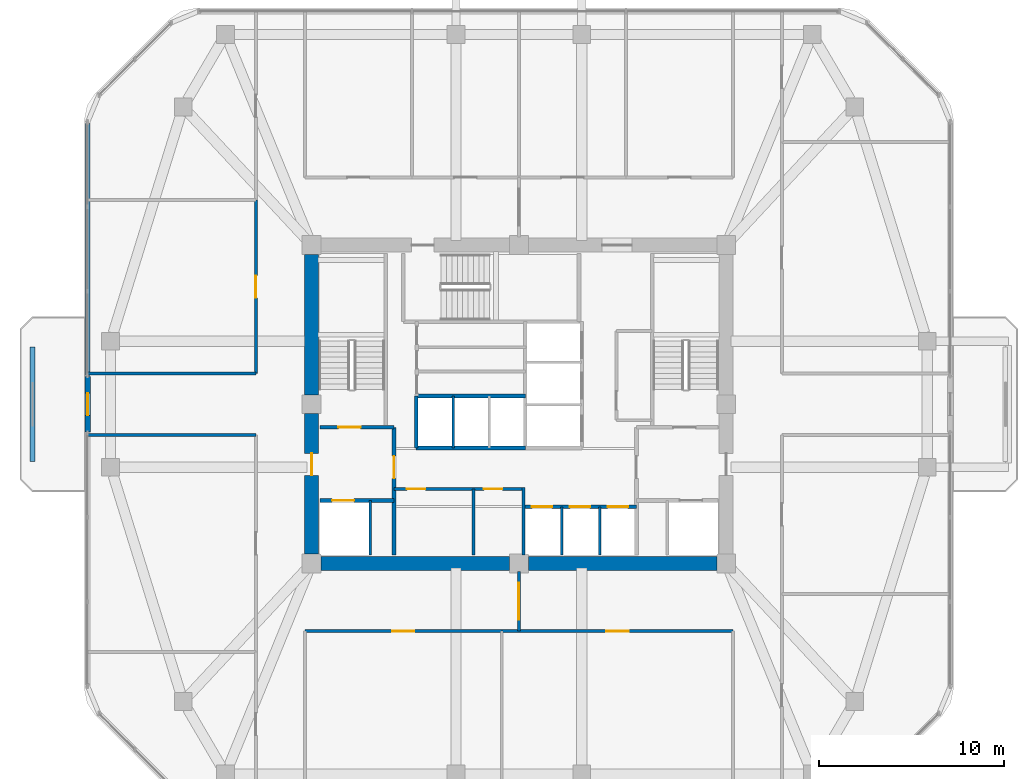
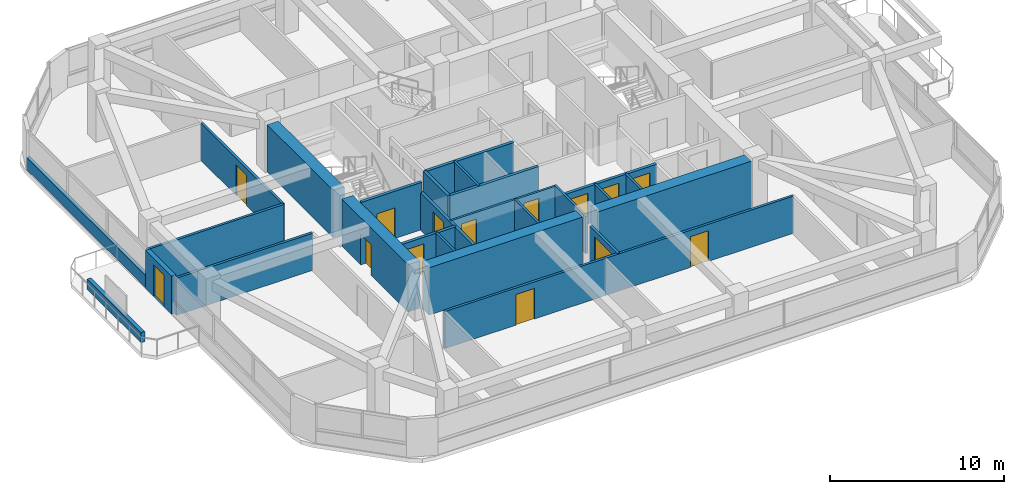
# One storey, part 8 of 12: 27 walls, 14 doors, 14 openings.
"""IFC4 building model written with IfcOpenShell, lengths in metres."""

import ifcopenshell
import ifcopenshell.guid

model = None  # the IFC model being written
_history = None  # IfcOwnerHistory: only IFC2X3 demands one
_inside = {}  # id of a spatial element -> (the spatial element, [elements in it])
_under = {}  # id of a project, library or spatial element -> (it, [spatial elements below it])
_declared = {}  # id of a project -> (the project, [libraries it declares])
_typed = {}  # id of a type object -> (the type object, [elements of that type])
_made_of = {}  # id of a material, layer set ... -> (it, [elements and type objects made of it])


def new_model(schema):
    """Start an empty IFC model of exactly this schema.

    Asked for "IFC4X3", IfcOpenShell would pick the latest addendum, in which some entities
    have other attributes; the version numbers below select the first issue.
    IFC2X3 requires an IfcOwnerHistory on every rooted entity: one is made here for all.
    """
    global model, _history
    if schema == "IFC4X3":
        model = ifcopenshell.file(schema_version=(4, 3, 0, 0))
    else:
        model = ifcopenshell.file(schema=schema)
    _inside.clear()
    _under.clear()
    _declared.clear()
    _typed.clear()
    _made_of.clear()
    _history = None
    if model.schema == "IFC2X3":
        org = make("IfcOrganization", Name="unknown")
        user = make(
            "IfcPersonAndOrganization",
            ThePerson=make("IfcPerson", FamilyName="unknown"),
            TheOrganization=org,
        )
        app = make(
            "IfcApplication",
            ApplicationDeveloper=org,
            Version="unknown",
            ApplicationFullName="unknown",
            ApplicationIdentifier="unknown",
        )
        _history = make(
            "IfcOwnerHistory",
            OwningUser=user,
            OwningApplication=app,
            ChangeAction="ADDED",
            CreationDate=0,
        )
    return model


def make(cls, **values):
    """One entity of the class cls with the attributes given. An attribute that is None is left unset."""
    return model.create_entity(
        cls, **{name: value for name, value in values.items() if value is not None}
    )


def rooted(cls, **values):
    """An entity with a GlobalId (a new one), such as an element, a storey or a relation."""
    return make(cls, GlobalId=ifcopenshell.guid.new(), OwnerHistory=_history, **values)


def si_unit(unit_type, name, prefix=None):
    """IfcSIUnit, for example si_unit("LENGTHUNIT", "METRE", prefix="MILLI")."""
    return make("IfcSIUnit", UnitType=unit_type, Prefix=prefix, Name=name)


def derived_unit(unit_type, elements):
    """IfcDerivedUnit: a product of units, each with its exponent."""
    return make(
        "IfcDerivedUnit",
        Elements=[
            make("IfcDerivedUnitElement", Unit=unit, Exponent=power)
            for unit, power in elements
        ],
        UnitType=unit_type,
    )


def assignment(units):
    """IfcUnitAssignment: the units of a project."""
    return None if units is None else make("IfcUnitAssignment", Units=units)


def point(xyz):
    """IfcCartesianPoint."""
    return None if xyz is None else make("IfcCartesianPoint", Coordinates=xyz)


def direction(xyz):
    """IfcDirection."""
    return None if xyz is None else make("IfcDirection", DirectionRatios=xyz)


def frame(location, z_axis=None, x_axis=None):
    """IfcAxis2Placement3D, a coordinate frame: its origin and axes. An axis left out is left unset."""
    return make(
        "IfcAxis2Placement3D",
        Location=point(location),
        Axis=direction(z_axis),
        RefDirection=direction(x_axis),
    )


def frame_2d(location, x_axis=None):
    """IfcAxis2Placement2D, a coordinate frame in the plane: its origin and x axis."""
    return make(
        "IfcAxis2Placement2D", Location=point(location), RefDirection=direction(x_axis)
    )


def origin():
    """The frame at (0, 0, 0) with its axes left unset."""
    return frame((0.0, 0.0, 0.0))


def place(relative_to, where):
    """IfcLocalPlacement: puts the frame where relative to a parent placement (None: the world)."""
    return make(
        "IfcLocalPlacement", PlacementRelTo=relative_to, RelativePlacement=where
    )


def context(
    kind, dimensions, precision=None, world=None, true_north=None, identifier=None
):
    """IfcGeometricRepresentationContext, for example the 3D "Model" context."""
    return make(
        "IfcGeometricRepresentationContext",
        ContextIdentifier=identifier,
        ContextType=kind,
        CoordinateSpaceDimension=dimensions,
        Precision=precision,
        WorldCoordinateSystem=world,
        TrueNorth=true_north,
    )


def subcontext(parent, identifier, kind, view, scale=None):
    """IfcGeometricRepresentationSubContext, for example "Body" below "Model"."""
    return make(
        "IfcGeometricRepresentationSubContext",
        ContextIdentifier=identifier,
        ContextType=kind,
        ParentContext=parent,
        TargetScale=scale,
        TargetView=view,
    )


def project(units=None, contexts=None):
    """IfcProject with its units and contexts."""
    return rooted(
        "IfcProject",
        Name="project",
        RepresentationContexts=contexts,
        UnitsInContext=assignment(units),
    )


def spatial(cls, under=None, at=None, **own):
    """A site, building, storey or space (cls), placed at a placement, below another one or the project."""
    s = rooted(cls, ObjectPlacement=at, **own)
    if under is not None:
        _under.setdefault(under.id(), (under, []))[1].append(s)
    return s


def profile(cls, at=None, kind="AREA", **sizes):
    """A parametric profile (cls). Its sizes go by their IFC names, for example OverallWidth=200.0."""
    return make(cls, ProfileType=kind, Position=at, **sizes)


def rectangle(**sizes):
    """IfcRectangleProfileDef."""
    return profile("IfcRectangleProfileDef", **sizes)


def extrude(swept, where, along, depth):
    """IfcExtrudedAreaSolid: the profile swept, set in the frame where, extruded along a direction by depth."""
    return make(
        "IfcExtrudedAreaSolid",
        SweptArea=swept,
        Position=where,
        ExtrudedDirection=direction(along),
        Depth=depth,
    )


def shape(context_of_items, identifier, shape_type, items):
    """IfcShapeRepresentation: the items that make up one representation, for example the "Body"."""
    return make(
        "IfcShapeRepresentation",
        ContextOfItems=context_of_items,
        RepresentationIdentifier=identifier,
        RepresentationType=shape_type,
        Items=items,
    )


def material(Name=None, Category=None):
    """IfcMaterial."""
    return make("IfcMaterial", Name=Name, Category=Category)


def layer(
    of_material, thickness, ventilated=None, Name=None, Category=None, Priority=None
):
    """IfcMaterialLayer: one layer of a wall or slab, of a material (None: an air gap)."""
    return make(
        "IfcMaterialLayer",
        Material=of_material,
        LayerThickness=thickness,
        IsVentilated=ventilated,
        Name=Name,
        Category=Category,
        Priority=Priority,
    )


def layer_set(layers, Name=None):
    """IfcMaterialLayerSet."""
    return make("IfcMaterialLayerSet", MaterialLayers=layers, LayerSetName=Name)


def made_of(thing, what):
    """Note that an element or type object is made of a material, layer set ...; save() writes the relation."""
    if what is not None:
        _made_of.setdefault(what.id(), (what, []))[1].append(thing)
    return thing


def type_object(cls, material=None, **own):
    """A type object (cls), such as IfcWallType, which elements share."""
    return made_of(rooted(cls, **own), material)


def element(
    cls,
    number,
    at=None,
    inside=None,
    cuts=None,
    type_object=None,
    material=None,
    context=None,
    identifier="Body",
    shape_type=None,
    held_by="IfcProductDefinitionShape",
    body=None,
    shapes=None,
    **own,
):
    """One element of the class cls, such as IfcWall. Its Tag is "e" and its number.

    at: its placement. inside: the storey or other place that contains it. cuts: it is an
    opening in that element (IfcRelVoidsElement). A single representation is given by context,
    identifier, shape_type and body (its items); several are given by shapes. held_by: the class
    of the entity that holds the representations. save() writes the other relations.
    """
    e = rooted(cls, Tag="e%d" % number, ObjectPlacement=at, **own)
    if body is not None:
        shapes = [shape(context, identifier, shape_type, body)]
    if shapes is not None:
        e.Representation = make(held_by, Representations=shapes)
    if inside is not None:
        _inside.setdefault(inside.id(), (inside, []))[1].append(e)
    if cuts is not None:
        rooted(
            "IfcRelVoidsElement", RelatingBuildingElement=cuts, RelatedOpeningElement=e
        )
    if type_object is not None:
        _typed.setdefault(type_object.id(), (type_object, []))[1].append(e)
    return made_of(e, material)


def fill(opening, filler):
    """IfcRelFillsElement: the door or window that sits in an opening."""
    return rooted(
        "IfcRelFillsElement",
        RelatingOpeningElement=opening,
        RelatedBuildingElement=filler,
    )


def aggregate(whole, parts):
    """IfcRelAggregates: a whole, such as a stair, and the parts it consists of."""
    return rooted("IfcRelAggregates", RelatingObject=whole, RelatedObjects=parts)


def save(model, path):
    """Write the relations noted so far, then the file.

    IfcRelAggregates (storeys below a building ...), IfcRelContainedInSpatialStructure (elements
    in a storey), IfcRelDefinesByType, IfcRelAssociatesMaterial and IfcRelDeclares: one each for
    every whole, place, type object, material and project.
    """
    for whole, parts in _under.values():
        aggregate(whole, parts)
    for where, things in _inside.values():
        rooted(
            "IfcRelContainedInSpatialStructure",
            RelatedElements=things,
            RelatingStructure=where,
        )
    for kind, things in _typed.values():
        rooted("IfcRelDefinesByType", RelatedObjects=things, RelatingType=kind)
    for what, things in _made_of.values():
        rooted("IfcRelAssociatesMaterial", RelatedObjects=things, RelatingMaterial=what)
    for by, libraries in _declared.values():
        rooted("IfcRelDeclares", RelatingContext=by, RelatedDefinitions=libraries)
    model.write(path)


model = new_model("IFC4")

# Units and contexts
model_context = context("Model", 3, precision=1e-05, world=origin(), true_north=direction((0.0, 1.0)))
body_context = subcontext(model_context, "Body", "Model", "MODEL_VIEW")
ifc_project = project(units=[si_unit("LENGTHUNIT", "METRE"), si_unit("AREAUNIT", "SQUARE_METRE"), si_unit("VOLUMEUNIT", "CUBIC_METRE"), si_unit("PLANEANGLEUNIT", "RADIAN"), si_unit("MASSUNIT", "GRAM", prefix="KILO"), derived_unit("THERMALTRANSMITTANCEUNIT", [(si_unit("POWERUNIT", "WATT"), 1), (si_unit("LENGTHUNIT", "METRE"), -2), (si_unit("THERMODYNAMICTEMPERATUREUNIT", "KELVIN"), -1)])], contexts=[model_context])

# Site, building, storey
site_placement = place(None, origin())
site = spatial("IfcSite", under=ifc_project, at=site_placement, CompositionType="ELEMENT")
building_placement = place(site_placement, origin())
building = spatial("IfcBuilding", under=site, at=building_placement, Name="Koralith Skygarden Medical Center", CompositionType="ELEMENT")
storey_placement = place(building_placement, frame((0.0, 0.0, 170.820068359375)))
storey = spatial("IfcBuildingStorey", under=building, at=storey_placement, Name="L44", CompositionType="ELEMENT", Elevation=170.820068359375)

# Wall, openings, doors
ifc_material_1 = material(Name="Gypsum Board Partition")
ifc_layer_1 = layer(ifc_material_1, 0.14990234375)
ifc_layer_set_1 = layer_set([ifc_layer_1], Name="Gypsum Board Partition")
wall_type_1 = type_object("IfcWallType", Name="Clinical Acoustic Partition 150", PredefinedType="PARTITIONING", material=ifc_layer_set_1)
wall_1_placement = place(storey_placement, frame((30.25, 21.320068359375, 0.0), z_axis=(0.0, 0.0, 1.0), x_axis=(1.0, 0.0, 0.0)))
wall_1 = element("IfcWall", 1, at=wall_1_placement, inside=storey, type_object=wall_type_1, Name="L44 Clinical Acoustic Partition 150 W-CORE-L44-FREED-LR-N", PredefinedType="PARTITIONING", context=body_context, shape_type="SweptSolid", body=[
    extrude(rectangle(XDim=7.0, YDim=0.14990234375, at=frame_2d((3.5, 0.0))), origin(), (0.0, 0.0, 1.0), 2.60986328125),
])
opening_1_placement = place(wall_1_placement, frame((0.699951171875, 0.0, 0.0)))
opening_1 = element("IfcOpeningElement", 2, at=opening_1_placement, cuts=wall_1, Name="Opening D-SUP", PredefinedType="OPENING", context=body_context, shape_type="SweptSolid", body=[
    extrude(rectangle(XDim=1.0, YDim=2.14990234375, at=frame_2d((0.5, 1.074951171875))), frame((0.0, 0.0849609375, 0.0), z_axis=(0.0, -1.0, 0.0), x_axis=(1.0, 0.0, 0.0)), (0.0, 0.0, 1.0), 0.169921875),
])
opening_2_placement = place(wall_1_placement, frame((4.85009765625, 0.0, 0.0)))
opening_2 = element("IfcOpeningElement", 3, at=opening_2_placement, cuts=wall_1, Name="Opening D-SUP", PredefinedType="OPENING", context=body_context, shape_type="SweptSolid", body=[
    extrude(rectangle(XDim=1.0, YDim=2.14990234375, at=frame_2d((0.5, 1.074951171875))), frame((0.0, 0.0849609375, 0.0), z_axis=(0.0, -1.0, 0.0), x_axis=(1.0, 0.0, 0.0)), (0.0, 0.0, 1.0), 0.169921875),
])
ifc_material_2 = material(Name="Aluminium 6063-T6", Category="aluminium")
door_type_1 = type_object("IfcDoorType", Name="Clinical Support Door D-SUP 1000", OperationType="NOTDEFINED", PredefinedType="DOOR", material=ifc_material_2)
door_1_placement = place(opening_1_placement, frame((1.0, 0.0, 0.0), z_axis=(0.0, 0.0, 1.0), x_axis=(-1.0, 0.0, 0.0)))
door_1 = element("IfcDoor", 4, at=door_1_placement, inside=storey, type_object=door_type_1, Name="L44 Medication Preparation Door", OperationType="SINGLE_SWING_LEFT", OverallHeight=2.14990234375, OverallWidth=1.0, PredefinedType="DOOR", context=body_context, shape_type="SweptSolid", body=[
    extrude(rectangle(XDim=1.0, YDim=2.14990234375, at=frame_2d((0.5, 1.074951171875))), frame((0.0, 0.02490234375, 0.0), z_axis=(0.0, -1.0, 0.0), x_axis=(1.0, 0.0, 0.0)), (0.0, 0.0, 1.0), 0.050048828125),
])
fill(opening_1, door_1)
door_2_placement = place(opening_2_placement, frame((1.0, 0.0, 0.0), z_axis=(0.0, 0.0, 1.0), x_axis=(-1.0, 0.0, 0.0)))
door_2 = element("IfcDoor", 5, at=door_2_placement, inside=storey, type_object=door_type_1, Name="L44 Telemetry Room Door", OperationType="SINGLE_SWING_RIGHT", OverallHeight=2.14990234375, OverallWidth=1.0, PredefinedType="DOOR", context=body_context, shape_type="SweptSolid", body=[
    extrude(rectangle(XDim=1.0, YDim=2.14990234375, at=frame_2d((0.5, 1.074951171875))), frame((0.0, 0.02490234375, 0.0), z_axis=(0.0, -1.0, 0.0), x_axis=(1.0, 0.0, 0.0)), (0.0, 0.0, 1.0), 0.050048828125),
])
fill(opening_2, door_2)

# Walls
wall_2_placement = place(storey_placement, frame((34.550048828125, 17.75, 0.0), z_axis=(0.0, 0.0, 1.0), x_axis=(0.0, 1.0, 0.0)))
element("IfcWall", 6, at=wall_2_placement, inside=storey, type_object=wall_type_1, Name="L44 Clinical Acoustic Partition 150 W-CORE-L44-FREED-LR-M", PredefinedType="PARTITIONING", context=body_context, shape_type="SweptSolid", body=[
    extrude(rectangle(XDim=3.570068359375, YDim=0.14990234375, at=frame_2d((1.78515625, 0.0))), origin(), (0.0, 0.0, 1.0), 2.60986328125),
])
ifc_layer_2 = layer(ifc_material_1, 0.1650390625)
ifc_layer_set_2 = layer_set([ifc_layer_2], Name="Gypsum Board Partition")
wall_type_2 = type_object("IfcWallType", Name="Clinical Corridor Partition 165", PredefinedType="PARTITIONING", material=ifc_layer_set_2)
for number, where, z_axis, x_axis, name in (
    (7, (13.716064453125, 24.239990234375, 0.0), (0.0, 0.0, 1.0), (1.0, 0.0, 0.0), "L44 Clinical Corridor Partition 165 W-HCOR-L44-EWS-W"),
    (8, (13.716064453125, 27.56005859375, 0.0), (0.0, 0.0, 1.0), (1.0, 0.0, 0.0), "L44 Clinical Corridor Partition 165 W-HCOR-L44-EWN-W"),
):
    element("IfcWall", number, at=place(storey_placement, frame(where, z_axis=z_axis, x_axis=x_axis)), inside=storey, type_object=wall_type_2, Name=name, PredefinedType="PARTITIONING", context=body_context, shape_type="SweptSolid", body=[
        extrude(rectangle(XDim=9.073974609375, YDim=0.1650390625, at=frame_2d((4.537109375, 0.0))), origin(), (0.0, 0.0, 1.0), 2.60986328125),
    ])

# Wall, opening, door
wall_3_placement = place(storey_placement, frame((25.429931640625, 13.639892578125, 0.0), z_axis=(0.0, 0.0, 1.0), x_axis=(1.0, 0.0, 0.0)))
wall_3 = element("IfcWall", 9, at=wall_3_placement, inside=storey, type_object=wall_type_2, Name="L44 Clinical Corridor Partition 165 W-CORR-L44-S-01", PredefinedType="PARTITIONING", context=body_context, shape_type="SweptSolid", body=[
    extrude(rectangle(XDim=10.64501953125, YDim=0.1650390625, at=frame_2d((5.322509765625, 0.0))), origin(), (0.0, 0.0, 1.0), 2.60986328125),
])
opening_3_placement = place(wall_3_placement, frame((4.722900390625, 0.0, 0.0)))
opening_3 = element("IfcOpeningElement", 10, at=opening_3_placement, cuts=wall_3, Name="Opening D-CLN", PredefinedType="OPENING", context=body_context, shape_type="SweptSolid", body=[
    extrude(rectangle(XDim=1.199951171875, YDim=2.14990234375, at=frame_2d((0.60009765625, 1.074951171875))), frame((0.0, 0.092529296875, 0.0), z_axis=(0.0, -1.0, 0.0), x_axis=(1.0, 0.0, 0.0)), (0.0, 0.0, 1.0), 0.18505859375),
])
door_type_2 = type_object("IfcDoorType", Name="Clinical Corridor Door D-CLN 1200", OperationType="NOTDEFINED", PredefinedType="DOOR", material=ifc_material_2)
door_3_placement = place(opening_3_placement, frame((1.199951171875, 0.0, 0.0), z_axis=(0.0, 0.0, 1.0), x_axis=(-1.0, 0.0, 0.0)))
door_3 = element("IfcDoor", 11, at=door_3_placement, inside=storey, type_object=door_type_2, Name="L44 Neurological Gait Rehab Gym Hall 05 Door", OperationType="SINGLE_SWING_RIGHT", OverallHeight=2.14990234375, OverallWidth=1.199951171875, PredefinedType="DOOR", context=body_context, shape_type="SweptSolid", body=[
    extrude(rectangle(XDim=1.199951171875, YDim=2.14990234375, at=frame_2d((0.60009765625, 1.074951171875))), frame((0.0, 0.02490234375, 0.0), z_axis=(0.0, -1.0, 0.0), x_axis=(1.0, 0.0, 0.0)), (0.0, 0.0, 1.0), 0.050048828125),
])
fill(opening_3, door_3)

wall_4_placement = place(storey_placement, frame((36.074951171875, 13.639892578125, 0.0), z_axis=(0.0, 0.0, 1.0), x_axis=(1.0, 0.0, 0.0)))
wall_4 = element("IfcWall", 12, at=wall_4_placement, inside=storey, type_object=wall_type_2, Name="L44 Clinical Corridor Partition 165 W-CORR-L44-S-02", PredefinedType="PARTITIONING", context=body_context, shape_type="SweptSolid", body=[
    extrude(rectangle(XDim=12.4951171875, YDim=0.1650390625, at=frame_2d((6.24755859375, 0.0))), origin(), (0.0, 0.0, 1.0), 2.60986328125),
])
opening_4_placement = place(wall_4_placement, frame((5.64697265625, 0.0, 0.0)))
opening_4 = element("IfcOpeningElement", 13, at=opening_4_placement, cuts=wall_4, Name="Opening D-CLN", PredefinedType="OPENING", context=body_context, shape_type="SweptSolid", body=[
    extrude(rectangle(XDim=1.199951171875, YDim=2.14990234375, at=frame_2d((0.60009765625, 1.074951171875))), frame((0.0, 0.092529296875, 0.0), z_axis=(0.0, -1.0, 0.0), x_axis=(1.0, 0.0, 0.0)), (0.0, 0.0, 1.0), 0.18505859375),
])
door_4_placement = place(opening_4_placement, frame((1.199951171875, 0.0, 0.0), z_axis=(0.0, 0.0, 1.0), x_axis=(-1.0, 0.0, 0.0)))
door_4 = element("IfcDoor", 14, at=door_4_placement, inside=storey, type_object=door_type_2, Name="L44 Balance Therapy Exercise Hall 06 Door", OperationType="SINGLE_SWING_LEFT", OverallHeight=2.14990234375, OverallWidth=1.199951171875, PredefinedType="DOOR", context=body_context, shape_type="SweptSolid", body=[
    extrude(rectangle(XDim=1.199951171875, YDim=2.14990234375, at=frame_2d((0.60009765625, 1.074951171875))), frame((0.0, 0.02490234375, 0.0), z_axis=(0.0, -1.0, 0.0), x_axis=(1.0, 0.0, 0.0)), (0.0, 0.0, 1.0), 0.050048828125),
])
fill(opening_4, door_4)

wall_5_placement = place(storey_placement, frame((22.7900390625, 27.56005859375, 0.0), z_axis=(0.0, 0.0, 1.0), x_axis=(0.0, 1.0, 0.0)))
wall_5 = element("IfcWall", 15, at=wall_5_placement, inside=storey, type_object=wall_type_2, Name="L44 Clinical Corridor Partition 165 W-CORR-L44-WN-01", PredefinedType="PARTITIONING", context=body_context, shape_type="SweptSolid", body=[
    extrude(rectangle(XDim=9.37890625, YDim=0.1650390625, at=frame_2d((4.689453125, 0.0))), origin(), (0.0, 0.0, 1.0), 2.60986328125),
])
opening_5_placement = place(wall_5_placement, frame((4.090087890625, 0.0, 0.0)))
opening_5 = element("IfcOpeningElement", 16, at=opening_5_placement, cuts=wall_5, Name="Opening D-CLN", PredefinedType="OPENING", context=body_context, shape_type="SweptSolid", body=[
    extrude(rectangle(XDim=1.199951171875, YDim=2.14990234375, at=frame_2d((0.60009765625, 1.074951171875))), frame((0.0, 0.092529296875, 0.0), z_axis=(0.0, -1.0, 0.0), x_axis=(1.0, 0.0, 0.0)), (0.0, 0.0, 1.0), 0.18505859375),
])
door_5_placement = place(opening_5_placement, frame((1.199951171875, 0.0, 0.0), z_axis=(0.0, 0.0, 1.0), x_axis=(-1.0, 0.0, 0.0)))
door_5 = element("IfcDoor", 17, at=door_5_placement, inside=storey, type_object=door_type_2, Name="L44 Neurological Gait Rehab Gym Hall 09 Door", OperationType="SINGLE_SWING_RIGHT", OverallHeight=2.14990234375, OverallWidth=1.199951171875, PredefinedType="DOOR", context=body_context, shape_type="SweptSolid", body=[
    extrude(rectangle(XDim=1.199951171875, YDim=2.14990234375, at=frame_2d((0.60009765625, 1.074951171875))), frame((0.0, 0.02490234375, 0.0), z_axis=(0.0, -1.0, 0.0), x_axis=(1.0, 0.0, 0.0)), (0.0, 0.0, 1.0), 0.050048828125),
])
fill(opening_5, door_5)

ifc_layer_3 = layer(ifc_material_1, 0.199951171875)
ifc_layer_set_3 = layer_set([ifc_layer_3], Name="Gypsum Board Partition")
wall_type_3 = type_object("IfcWallType", Name="Fire Shaft Wall 200", PredefinedType="SOLIDWALL", material=ifc_layer_set_3)
wall_6_placement = place(storey_placement, frame((26.25, 20.699951171875, 0.0), z_axis=(0.0, 0.0, 1.0), x_axis=(1.0, 0.0, 0.0)))
wall_6 = element("IfcWall", 18, at=wall_6_placement, inside=storey, type_object=wall_type_3, Name="L44 Fire Shaft Wall 200 W-CORE-L44-FF1-N", PredefinedType="SOLIDWALL", context=body_context, shape_type="SweptSolid", body=[
    extrude(rectangle(XDim=4.0, YDim=0.199951171875, at=frame_2d((2.0, 0.0))), origin(), (0.0, 0.0, 1.0), 2.60986328125),
])
opening_6_placement = place(wall_6_placement, frame((0.64990234375, 0.0, 0.0)))
opening_6 = element("IfcOpeningElement", 19, at=opening_6_placement, cuts=wall_6, Name="Opening LD-FF", PredefinedType="OPENING", context=body_context, shape_type="SweptSolid", body=[
    extrude(rectangle(XDim=1.199951171875, YDim=2.14990234375, at=frame_2d((0.60009765625, 1.074951171875))), frame((0.0, 0.10986328125, 0.0), z_axis=(0.0, -1.0, 0.0), x_axis=(1.0, 0.0, 0.0)), (0.0, 0.0, 1.0), 0.219970703125),
])
ifc_material_3 = material(Name="Steel ASTM A500 Grade C", Category="steel")
door_type_3 = type_object("IfcDoorType", Name="Fire Lift Sliding Landing Door LD-FF 1200", OperationType="NOTDEFINED", PredefinedType="DOOR", material=ifc_material_3)
door_6_placement = place(opening_6_placement, origin())
door_6 = element("IfcDoor", 20, at=door_6_placement, inside=storey, type_object=door_type_3, Name="L44 Fire Service Elevator FF1 Landing Door", OperationType="SLIDING_TO_LEFT", OverallHeight=2.14990234375, OverallWidth=1.199951171875, PredefinedType="DOOR", context=body_context, shape_type="SweptSolid", body=[
    extrude(rectangle(XDim=1.199951171875, YDim=2.14990234375, at=frame_2d((0.60009765625, 1.074951171875))), frame((0.0, 0.02490234375, 0.0), z_axis=(0.0, -1.0, 0.0), x_axis=(1.0, 0.0, 0.0)), (0.0, 0.0, 1.0), 0.050048828125),
])
fill(opening_6, door_6)

wall_7_placement = place(storey_placement, frame((30.25, 17.75, 0.0), z_axis=(0.0, 0.0, 1.0), x_axis=(0.0, 1.0, 0.0)))
wall_7 = element("IfcWall", 21, at=wall_7_placement, inside=storey, type_object=wall_type_3, Name="L44 Fire Shaft Wall 200 W-CORE-L44-FSAEW-E", PredefinedType="SOLIDWALL", context=body_context, shape_type="SweptSolid", body=[
    extrude(rectangle(XDim=6.89990234375, YDim=0.199951171875, at=frame_2d((3.449951171875, 0.0))), origin(), (0.0, 0.0, 1.0), 2.60986328125),
])
opening_7_placement = place(wall_7_placement, frame((4.14990234375, 0.0, 0.0)))
opening_7 = element("IfcOpeningElement", 22, at=opening_7_placement, cuts=wall_7, Name="Opening D-ST60", PredefinedType="OPENING", context=body_context, shape_type="SweptSolid", body=[
    extrude(rectangle(XDim=1.199951171875, YDim=2.14990234375, at=frame_2d((0.60009765625, 1.074951171875))), frame((0.0, 0.10986328125, 0.0), z_axis=(0.0, -1.0, 0.0), x_axis=(1.0, 0.0, 0.0)), (0.0, 0.0, 1.0), 0.219970703125),
])
door_type_4 = type_object("IfcDoorType", Name="Smokeproof Stair Fire Door FD60S 1200", OperationType="NOTDEFINED", PredefinedType="DOOR", material=ifc_material_3)
door_7_placement = place(opening_7_placement, origin())
door_7 = element("IfcDoor", 23, at=door_7_placement, inside=storey, type_object=door_type_4, Name="L44 West Firefighting Lobby Inner Fire Door", OperationType="SINGLE_SWING_LEFT", OverallHeight=2.14990234375, OverallWidth=1.199951171875, PredefinedType="DOOR", context=body_context, shape_type="SweptSolid", body=[
    extrude(rectangle(XDim=1.199951171875, YDim=2.14990234375, at=frame_2d((0.60009765625, 1.074951171875))), frame((0.0, 0.02490234375, 0.0), z_axis=(0.0, -1.0, 0.0), x_axis=(1.0, 0.0, 0.0)), (0.0, 0.0, 1.0), 0.050048828125),
])
fill(opening_7, door_7)

# Wall, openings, doors
wall_8_placement = place(storey_placement, frame((37.25, 20.360107421875, 0.0), z_axis=(0.0, 0.0, 1.0), x_axis=(1.0, 0.0, 0.0)))
wall_8 = element("IfcWall", 24, at=wall_8_placement, inside=storey, type_object=wall_type_3, Name="L44 Fire Shaft Wall 200 W-CORE-L44-PM-N", PredefinedType="SOLIDWALL", context=body_context, shape_type="SweptSolid", body=[
    extrude(rectangle(XDim=6.10009765625, YDim=0.199951171875, at=frame_2d((3.050048828125, 0.0))), origin(), (0.0, 0.0, 1.0), 2.60986328125),
])
opening_8_placement = place(wall_8_placement, frame((0.449951171875, 0.0, 0.0)))
opening_8 = element("IfcOpeningElement", 25, at=opening_8_placement, cuts=wall_8, Name="Opening LD-P", PredefinedType="OPENING", context=body_context, shape_type="SweptSolid", body=[
    extrude(rectangle(XDim=1.10009765625, YDim=2.14990234375, at=frame_2d((0.550048828125, 1.074951171875))), frame((0.0, 0.10986328125, 0.0), z_axis=(0.0, -1.0, 0.0), x_axis=(1.0, 0.0, 0.0)), (0.0, 0.0, 1.0), 0.219970703125),
])
opening_9_placement = place(wall_8_placement, frame((2.5, 0.0, 0.0)))
opening_9 = element("IfcOpeningElement", 26, at=opening_9_placement, cuts=wall_8, Name="Opening LD-P", PredefinedType="OPENING", context=body_context, shape_type="SweptSolid", body=[
    extrude(rectangle(XDim=1.10009765625, YDim=2.14990234375, at=frame_2d((0.550048828125, 1.074951171875))), frame((0.0, 0.10986328125, 0.0), z_axis=(0.0, -1.0, 0.0), x_axis=(1.0, 0.0, 0.0)), (0.0, 0.0, 1.0), 0.219970703125),
])
opening_10_placement = place(wall_8_placement, frame((4.550048828125, 0.0, 0.0)))
opening_10 = element("IfcOpeningElement", 27, at=opening_10_placement, cuts=wall_8, Name="Opening LD-P", PredefinedType="OPENING", context=body_context, shape_type="SweptSolid", body=[
    extrude(rectangle(XDim=1.10009765625, YDim=2.14990234375, at=frame_2d((0.550048828125, 1.074951171875))), frame((0.0, 0.10986328125, 0.0), z_axis=(0.0, -1.0, 0.0), x_axis=(1.0, 0.0, 0.0)), (0.0, 0.0, 1.0), 0.219970703125),
])
door_type_5 = type_object("IfcDoorType", Name="Passenger Lift Sliding Landing Door LD-P 1100", OperationType="NOTDEFINED", PredefinedType="DOOR", material=ifc_material_3)
door_8_placement = place(opening_8_placement, origin())
door_8 = element("IfcDoor", 28, at=door_8_placement, inside=storey, type_object=door_type_5, Name="L44 Passenger Elevator PM1 Landing Door", OperationType="SLIDING_TO_LEFT", OverallHeight=2.14990234375, OverallWidth=1.10009765625, PredefinedType="DOOR", context=body_context, shape_type="SweptSolid", body=[
    extrude(rectangle(XDim=1.10009765625, YDim=2.14990234375, at=frame_2d((0.550048828125, 1.074951171875))), frame((0.0, 0.02490234375, 0.0), z_axis=(0.0, -1.0, 0.0), x_axis=(1.0, 0.0, 0.0)), (0.0, 0.0, 1.0), 0.050048828125),
])
fill(opening_8, door_8)
door_9_placement = place(opening_9_placement, origin())
door_9 = element("IfcDoor", 29, at=door_9_placement, inside=storey, type_object=door_type_5, Name="L44 Passenger Elevator PM2 Landing Door", OperationType="SLIDING_TO_LEFT", OverallHeight=2.14990234375, OverallWidth=1.10009765625, PredefinedType="DOOR", context=body_context, shape_type="SweptSolid", body=[
    extrude(rectangle(XDim=1.10009765625, YDim=2.14990234375, at=frame_2d((0.550048828125, 1.074951171875))), frame((0.0, 0.02490234375, 0.0), z_axis=(0.0, -1.0, 0.0), x_axis=(1.0, 0.0, 0.0)), (0.0, 0.0, 1.0), 0.050048828125),
])
fill(opening_9, door_9)
door_10_placement = place(opening_10_placement, origin())
door_10 = element("IfcDoor", 30, at=door_10_placement, inside=storey, type_object=door_type_5, Name="L44 Passenger Elevator PM3 Landing Door", OperationType="SLIDING_TO_LEFT", OverallHeight=2.14990234375, OverallWidth=1.10009765625, PredefinedType="DOOR", context=body_context, shape_type="SweptSolid", body=[
    extrude(rectangle(XDim=1.10009765625, YDim=2.14990234375, at=frame_2d((0.550048828125, 1.074951171875))), frame((0.0, 0.02490234375, 0.0), z_axis=(0.0, -1.0, 0.0), x_axis=(1.0, 0.0, 0.0)), (0.0, 0.0, 1.0), 0.050048828125),
])
fill(opening_10, door_10)

# Walls
for number, where, z_axis, x_axis, name in (
    (31, (31.449951171875, 23.5400390625, 0.0), (0.0, 0.0, 1.0), (1.0, 0.0, 0.0), "L44 Fire Shaft Wall 200 W-CORE-L44-PH-S"),
    (32, (31.449951171875, 26.35009765625, 0.0), (0.0, 0.0, 1.0), (1.0, 0.0, 0.0), "L44 Fire Shaft Wall 200 W-CORE-L44-PH-N"),
):
    element("IfcWall", number, at=place(storey_placement, frame(where, z_axis=z_axis, x_axis=x_axis)), inside=storey, type_object=wall_type_3, Name=name, PredefinedType="SOLIDWALL", context=body_context, shape_type="SweptSolid", body=[
        extrude(rectangle(XDim=5.900146484375, YDim=0.199951171875, at=frame_2d((2.9501953125, 0.0))), origin(), (0.0, 0.0, 1.0), 2.60986328125),
    ])
wall_9_placement = place(storey_placement, frame((31.449951171875, 23.5400390625, 0.0), z_axis=(0.0, 0.0, 1.0), x_axis=(0.0, 1.0, 0.0)))
element("IfcWall", 33, at=wall_9_placement, inside=storey, type_object=wall_type_3, Name="L44 Fire Shaft Wall 200 W-CORE-L44-PH-W", PredefinedType="SOLIDWALL", context=body_context, shape_type="SweptSolid", body=[
    extrude(rectangle(XDim=2.81005859375, YDim=0.199951171875, at=frame_2d((1.405029296875, 0.0))), origin(), (0.0, 0.0, 1.0), 2.60986328125),
])

# Wall, opening, door
ifc_layer_4 = layer(ifc_material_1, 0.179931640625)
ifc_layer_set_4 = layer_set([ifc_layer_4], Name="Gypsum Board Partition")
wall_type_4 = type_object("IfcWallType", Name="Group I-2 Smoke Barrier Wall 180", PredefinedType="PARTITIONING", material=ifc_layer_set_4)
wall_10_placement = place(storey_placement, frame((37.0, 13.639892578125, 0.0), z_axis=(0.0, 0.0, 1.0), x_axis=(0.0, 1.0, 0.0)))
wall_10 = element("IfcWall", 34, at=wall_10_placement, inside=storey, type_object=wall_type_4, Name="L44 Group I-2 Smoke Barrier Wall 180 W-SMK-L44-S", PredefinedType="PARTITIONING", context=body_context, shape_type="SweptSolid", body=[
    extrude(rectangle(XDim=3.210205078125, YDim=0.179931640625, at=frame_2d((1.60498046875, 0.0))), origin(), (0.0, 0.0, 1.0), 2.60986328125),
])
opening_11_placement = place(wall_10_placement, frame((0.60498046875, 0.0, 0.0)))
opening_11 = element("IfcOpeningElement", 35, at=opening_11_placement, cuts=wall_10, Name="Opening D-SMK", PredefinedType="OPENING", context=body_context, shape_type="SweptSolid", body=[
    extrude(rectangle(XDim=2.0, YDim=2.199951171875, at=frame_2d((1.0, 1.10009765625))), frame((0.0, 0.099853515625, 0.0), z_axis=(0.0, -1.0, 0.0), x_axis=(1.0, 0.0, 0.0)), (0.0, 0.0, 1.0), 0.199951171875),
])
door_type_6 = type_object("IfcDoorType", Name="Cross-Corridor Double Smoke Door FD60S 2000", OperationType="NOTDEFINED", PredefinedType="DOOR", material=ifc_material_3)
door_11_placement = place(opening_11_placement, frame((2.0, 0.0, 0.0), z_axis=(0.0, 0.0, 1.0), x_axis=(-1.0, 0.0, 0.0)))
door_11 = element("IfcDoor", 36, at=door_11_placement, inside=storey, type_object=door_type_6, Name="L44 S Smoke Compartment Cross-Corridor Door", OperationType="DOUBLE_DOOR_SINGLE_SWING", OverallHeight=2.199951171875, OverallWidth=2.0, PredefinedType="DOOR", context=body_context, shape_type="SweptSolid", body=[
    extrude(rectangle(XDim=2.0, YDim=2.199951171875, at=frame_2d((1.0, 1.10009765625))), frame((0.0, 0.02490234375, 0.0), z_axis=(0.0, -1.0, 0.0), x_axis=(1.0, 0.0, 0.0)), (0.0, 0.0, 1.0), 0.050048828125),
])
fill(opening_11, door_11)

# Walls
ifc_material_4 = material(Name="Warm Oolitic Limestone Cladding", Category="masonry")
ifc_layer_5 = layer(ifc_material_4, 0.239990234375)
ifc_layer_set_5 = layer_set([ifc_layer_5], Name="Warm Oolitic Limestone Cladding")
wall_type_5 = type_object("IfcWallType", Name="Limestone Spandrel Sill Backup Wall 240", PredefinedType="SOLIDWALL", material=ifc_layer_set_5)
wall_11_placement = place(storey_placement, frame((13.696044921875, 41.14501953125, 0.0), z_axis=(0.0, 0.0, 1.0), x_axis=(0.0, -1.0, 0.0)))
element("IfcWall", 37, at=wall_11_placement, inside=storey, type_object=wall_type_5, Name="L44 Sill Spandrel W-L", PredefinedType="SOLIDWALL", context=body_context, shape_type="SweptSolid", body=[
    extrude(rectangle(XDim=13.705078125, YDim=0.239990234375, at=frame_2d((6.8525390625, 0.0))), origin(), (0.0, 0.0, 1.0), 0.849853515625),
])
ifc_material_5 = material(Name="Concrete C70/85", Category="concrete")
ifc_layer_6 = layer(ifc_material_5, 0.75)
ifc_layer_set_6 = layer_set([ifc_layer_6], Name="Concrete C70/85")
wall_type_6 = type_object("IfcWallType", Name="Mid Core Shear Wall 750", PredefinedType="SHEAR", material=ifc_layer_set_6)
for number, where, z_axis, x_axis, name in (
    (38, (26.304931640625, 17.300048828125, 0.0), (0.0, 0.0, 1.0), (1.0, 0.0, 0.0), "L44 Core Shear Wall Segment 1"),
    (39, (37.5048828125, 17.300048828125, 0.0), (0.0, 0.0, 1.0), (1.0, 0.0, 0.0), "L44 Core Shear Wall Segment 2"),
):
    element("IfcWall", number, at=place(storey_placement, frame(where, z_axis=z_axis, x_axis=x_axis)), inside=storey, type_object=wall_type_6, Name=name, PredefinedType="SHEAR", context=body_context, shape_type="SweptSolid", body=[
        extrude(rectangle(XDim=10.190185546875, YDim=0.75, at=frame_2d((5.09521484375, 0.0))), origin(), (0.0, 0.0, 1.0), 3.31982421875),
    ])
wall_12_placement = place(storey_placement, frame((25.800048828125, 33.9951171875, 0.0), z_axis=(0.0, 0.0, 1.0), x_axis=(0.0, -1.0, 0.0)))
element("IfcWall", 40, at=wall_12_placement, inside=storey, type_object=wall_type_6, Name="L44 Core Shear Wall Segment 7", PredefinedType="SHEAR", context=body_context, shape_type="SweptSolid", body=[
    extrude(rectangle(XDim=7.590087890625, YDim=0.75, at=frame_2d((3.794921875, 0.0))), origin(), (0.0, 0.0, 1.0), 3.31982421875),
])

# Wall, opening, door
wall_13_placement = place(storey_placement, frame((25.800048828125, 25.39501953125, 0.0), z_axis=(0.0, 0.0, 1.0), x_axis=(0.0, -1.0, 0.0)))
wall_13 = element("IfcWall", 41, at=wall_13_placement, inside=storey, type_object=wall_type_6, Name="L44 Core Shear Wall Segment 8", PredefinedType="SHEAR", context=body_context, shape_type="SweptSolid", body=[
    extrude(rectangle(XDim=7.590087890625, YDim=0.75, at=frame_2d((3.794921875, 0.0))), origin(), (0.0, 0.0, 1.0), 3.31982421875),
])
opening_12_placement = place(wall_13_placement, frame((2.14501953125, 0.0, 0.0)))
opening_12 = element("IfcOpeningElement", 42, at=opening_12_placement, cuts=wall_13, Name="Opening D-ST60", PredefinedType="OPENING", context=body_context, shape_type="SweptSolid", body=[
    extrude(rectangle(XDim=1.199951171875, YDim=2.14990234375, at=frame_2d((0.60009765625, 1.074951171875))), frame((0.0, 0.385009765625, 0.0), z_axis=(0.0, -1.0, 0.0), x_axis=(1.0, 0.0, 0.0)), (0.0, 0.0, 1.0), 0.77001953125),
])
door_12_placement = place(opening_12_placement, frame((1.199951171875, 0.0, 0.0), z_axis=(0.0, 0.0, 1.0), x_axis=(-1.0, 0.0, 0.0)))
door_12 = element("IfcDoor", 43, at=door_12_placement, inside=storey, type_object=door_type_4, Name="L44 West Corridor to Firefighting Lobby Door", OperationType="SINGLE_SWING_LEFT", OverallHeight=2.14990234375, OverallWidth=1.199951171875, PredefinedType="DOOR", context=body_context, shape_type="SweptSolid", body=[
    extrude(rectangle(XDim=1.199951171875, YDim=2.14990234375, at=frame_2d((0.60009765625, 1.074951171875))), frame((0.0, 0.02490234375, 0.0), z_axis=(0.0, -1.0, 0.0), x_axis=(1.0, 0.0, 0.0)), (0.0, 0.0, 1.0), 0.050048828125),
])
fill(opening_12, door_12)

ifc_layer_7 = layer(ifc_material_4, 0.300048828125)
ifc_layer_set_7 = layer_set([ifc_layer_7], Name="Warm Oolitic Limestone Cladding")
wall_type_7 = type_object("IfcWallType", Name="Oolitic Limestone Insulated Facade Wall 300", PredefinedType="SOLIDWALL", material=ifc_layer_set_7)
wall_14_placement = place(storey_placement, frame((13.696044921875, 27.39990234375, 0.0), z_axis=(0.0, 0.0, 1.0), x_axis=(0.0, -1.0, 0.0)))
wall_14 = element("IfcWall", 44, at=wall_14_placement, inside=storey, type_object=wall_type_7, Name="L44 Terrace Portal Wall W", PredefinedType="SOLIDWALL", context=body_context, shape_type="SweptSolid", body=[
    extrude(rectangle(XDim=3.0, YDim=0.300048828125, at=frame_2d((1.5, 0.0))), origin(), (0.0, 0.0, 1.0), 2.669921875),
])
opening_13_placement = place(wall_14_placement, frame((0.89990234375, 0.0, 0.0)))
opening_13 = element("IfcOpeningElement", 45, at=opening_13_placement, cuts=wall_14, Name="Opening D-BAL", PredefinedType="OPENING", context=body_context, shape_type="SweptSolid", body=[
    extrude(rectangle(XDim=1.199951171875, YDim=2.199951171875, at=frame_2d((0.60009765625, 1.10009765625))), frame((0.0, 0.159912109375, 0.0), z_axis=(0.0, -1.0, 0.0), x_axis=(1.0, 0.0, 0.0)), (0.0, 0.0, 1.0), 0.320068359375),
])
door_type_7 = type_object("IfcDoorType", Name="Planted Balcony Glazed Terrace Door D-BAL 1200", OperationType="NOTDEFINED", PredefinedType="DOOR", material=ifc_material_2)
door_13_placement = place(opening_13_placement, origin())
door_13 = element("IfcDoor", 46, at=door_13_placement, inside=storey, type_object=door_type_7, Name="L44 W Outdoor Terrace Access Door", OperationType="SINGLE_SWING_LEFT", OverallHeight=2.199951171875, OverallWidth=1.199951171875, PredefinedType="DOOR", context=body_context, shape_type="SweptSolid", body=[
    extrude(rectangle(XDim=1.199951171875, YDim=2.199951171875, at=frame_2d((0.60009765625, 1.10009765625))), frame((0.0, 0.02490234375, 0.0), z_axis=(0.0, -1.0, 0.0), x_axis=(1.0, 0.0, 0.0)), (0.0, 0.0, 1.0), 0.050048828125),
])
fill(opening_13, door_13)

# Walls
ifc_layer_8 = layer(ifc_material_1, 0.14990234375)
ifc_layer_set_8 = layer_set([ifc_layer_8], Name="Gypsum Board Partition")
wall_type_8 = type_object("IfcWallType", Name="Shaft Partition Wall 150", PredefinedType="PARTITIONING", material=ifc_layer_set_8)
wall_15_placement = place(storey_placement, frame((28.969970703125, 17.75, 0.0), z_axis=(0.0, 0.0, 1.0), x_axis=(0.0, 1.0, 0.0)))
element("IfcWall", 47, at=wall_15_placement, inside=storey, type_object=wall_type_8, Name="L44 Shaft Partition Wall 150 W-CORE-L44-RSRW-DIV", PredefinedType="PARTITIONING", context=body_context, shape_type="SweptSolid", body=[
    extrude(rectangle(XDim=2.949951171875, YDim=0.14990234375, at=frame_2d((1.47509765625, 0.0))), origin(), (0.0, 0.0, 1.0), 2.60986328125),
])
for number, where, z_axis, x_axis, name in (
    (48, (39.320068359375, 17.75, 0.0), (0.0, 0.0, 1.0), (0.0, 1.0, 0.0), "L44 Shaft Partition Wall 150 W-CORE-L44-PM-D1"),
    (49, (41.3701171875, 17.75, 0.0), (0.0, 0.0, 1.0), (0.0, 1.0, 0.0), "L44 Shaft Partition Wall 150 W-CORE-L44-PM-D2"),
):
    element("IfcWall", number, at=place(storey_placement, frame(where, z_axis=z_axis, x_axis=x_axis)), inside=storey, type_object=wall_type_8, Name=name, PredefinedType="PARTITIONING", context=body_context, shape_type="SweptSolid", body=[
        extrude(rectangle(XDim=2.610107421875, YDim=0.14990234375, at=frame_2d((1.30517578125, 0.0))), origin(), (0.0, 0.0, 1.0), 2.60986328125),
    ])
wall_16_placement = place(storey_placement, frame((37.25, 17.75, 0.0), z_axis=(0.0, 0.0, 1.0), x_axis=(0.0, 1.0, 0.0)))
element("IfcWall", 50, at=wall_16_placement, inside=storey, type_object=wall_type_8, Name="L44 Shaft Partition Wall 150 W-CORE-L44-PL-PM-SEP", PredefinedType="PARTITIONING", context=body_context, shape_type="SweptSolid", body=[
    extrude(rectangle(XDim=3.64990234375, YDim=0.14990234375, at=frame_2d((1.824951171875, 0.0))), origin(), (0.0, 0.0, 1.0), 2.60986328125),
])
wall_17_placement = place(storey_placement, frame((33.449951171875, 23.5400390625, 0.0), z_axis=(0.0, 0.0, 1.0), x_axis=(0.0, 1.0, 0.0)))
element("IfcWall", 51, at=wall_17_placement, inside=storey, type_object=wall_type_8, Name="L44 Shaft Partition Wall 150 W-CORE-L44-PH-D1", PredefinedType="PARTITIONING", context=body_context, shape_type="SweptSolid", body=[
    extrude(rectangle(XDim=2.81005859375, YDim=0.14990234375, at=frame_2d((1.405029296875, 0.0))), origin(), (0.0, 0.0, 1.0), 2.60986328125),
])
ifc_material_6 = material(Name="Precast concrete C40/50", Category="concrete")
ifc_layer_9 = layer(ifc_material_6, 0.25)
ifc_layer_set_9 = layer_set([ifc_layer_9], Name="Precast concrete C40/50")
wall_type_9 = type_object("IfcWallType", Name="Structural Concrete Balcony Planter Kerb 250", PredefinedType="PARAPET", material=ifc_layer_set_9)
wall_18_placement = place(storey_placement, frame((10.716064453125, 22.800048828125, 0.0), z_axis=(0.0, 0.0, 1.0), x_axis=(0.0, 1.0, 0.0)))
element("IfcWall", 52, at=wall_18_placement, inside=storey, type_object=wall_type_9, Name="L44 W Structural Tree PLANTER Box", PredefinedType="PARAPET", context=body_context, shape_type="SweptSolid", body=[
    extrude(rectangle(XDim=6.199951171875, YDim=0.25, at=frame_2d((3.10009765625, 0.0))), origin(), (0.0, 0.0, 1.0), 0.719970703125),
])

# Wall, opening, door
ifc_material_7 = material(Name="Concrete C45/55", Category="concrete")
ifc_layer_10 = layer(ifc_material_7, 0.199951171875)
ifc_layer_set_10 = layer_set([ifc_layer_10], Name="Concrete C45/55")
wall_type_10 = type_object("IfcWallType", Name="Structural Stair Shaft Wall 200", PredefinedType="SHEAR", material=ifc_layer_set_10)
wall_19_placement = place(storey_placement, frame((26.25, 24.64990234375, 0.0), z_axis=(0.0, 0.0, 1.0), x_axis=(1.0, 0.0, 0.0)))
wall_19 = element("IfcWall", 53, at=wall_19_placement, inside=storey, type_object=wall_type_10, Name="L44 Structural Stair Shaft Wall 200 W-CORE-L44-ST1-S", PredefinedType="SHEAR", context=body_context, shape_type="SweptSolid", body=[
    extrude(rectangle(XDim=4.0, YDim=0.199951171875, at=frame_2d((2.0, 0.0))), origin(), (0.0, 0.0, 1.0), 3.31982421875),
])
opening_14_placement = place(wall_19_placement, frame((1.0, 0.0, 0.0)))
opening_14 = element("IfcOpeningElement", 54, at=opening_14_placement, cuts=wall_19, Name="Opening D-ST60", PredefinedType="OPENING", context=body_context, shape_type="SweptSolid", body=[
    extrude(rectangle(XDim=1.199951171875, YDim=2.14990234375, at=frame_2d((0.60009765625, 1.074951171875))), frame((0.0, 0.10986328125, 0.0), z_axis=(0.0, -1.0, 0.0), x_axis=(1.0, 0.0, 0.0)), (0.0, 0.0, 1.0), 0.219970703125),
])
door_14_placement = place(opening_14_placement, origin())
door_14 = element("IfcDoor", 55, at=door_14_placement, inside=storey, type_object=door_type_4, Name="L44 Exit Stair ST1 Fire Door", OperationType="SINGLE_SWING_LEFT", OverallHeight=2.14990234375, OverallWidth=1.199951171875, PredefinedType="DOOR", context=body_context, shape_type="SweptSolid", body=[
    extrude(rectangle(XDim=1.199951171875, YDim=2.14990234375, at=frame_2d((0.60009765625, 1.074951171875))), frame((0.0, 0.02490234375, 0.0), z_axis=(0.0, -1.0, 0.0), x_axis=(1.0, 0.0, 0.0)), (0.0, 0.0, 1.0), 0.050048828125),
])
fill(opening_14, door_14)

save(model, "model.ifc")
